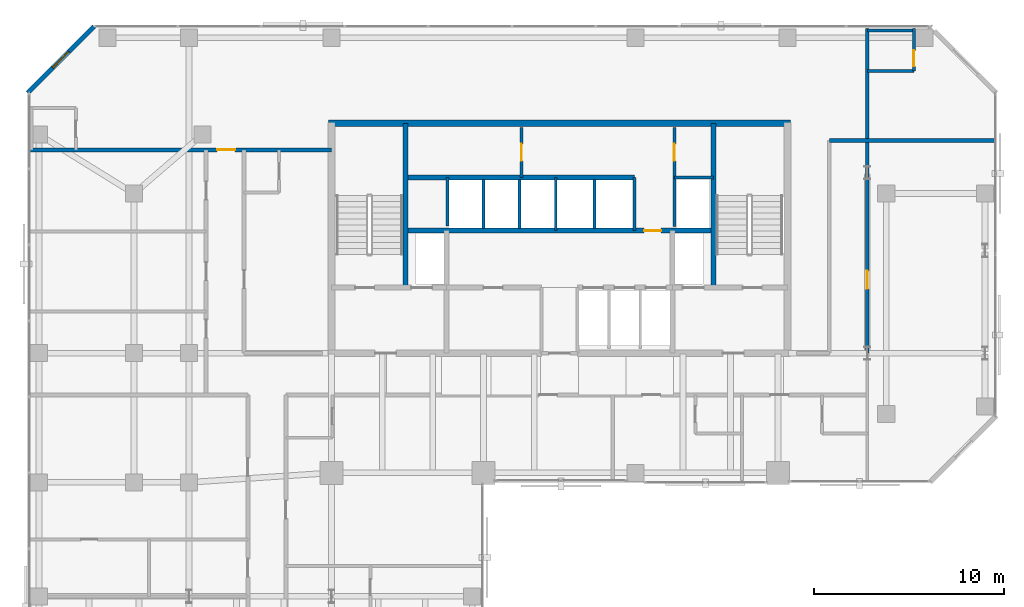
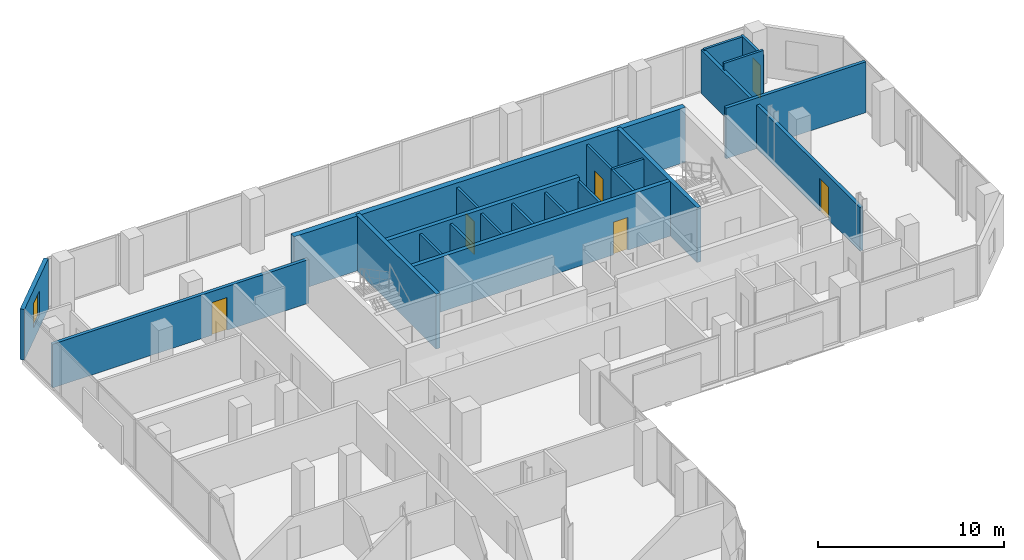
# One storey, part 30 of 34: 22 walls, 6 doors, 1 window, 7 openings.
"""IFC4 building model written with IfcOpenShell, lengths in metres."""

from ifc_helpers import new_model, si_unit, direction, frame, frame_2d, origin, place, context, subcontext, project, spatial, rectangle, extrude, material, layer, layer_set, type_object, element, fill, save


model = new_model("IFC4")

# Units and contexts
model_context = context("Model", 3, precision=1e-05, world=origin(), true_north=direction((0.0, 1.0)))
body_context = subcontext(model_context, "Body", "Model", "MODEL_VIEW")
ifc_project = project(units=[si_unit("LENGTHUNIT", "METRE"), si_unit("AREAUNIT", "SQUARE_METRE"), si_unit("VOLUMEUNIT", "CUBIC_METRE"), si_unit("PLANEANGLEUNIT", "RADIAN"), si_unit("MASSUNIT", "GRAM", prefix="KILO")], contexts=[model_context])

# Site, building, storey
site_placement = place(None, origin())
site = spatial("IfcSite", under=ifc_project, at=site_placement, CompositionType="ELEMENT")
building_placement = place(site_placement, origin())
building = spatial("IfcBuilding", under=site, at=building_placement, Name="Catumbela Crestline Tower", CompositionType="ELEMENT")
storey_placement = place(building_placement, frame((0.0, 0.0, 115.2)))
storey = spatial("IfcBuildingStorey", under=building, at=storey_placement, Name="L29", CompositionType="ELEMENT", Elevation=115.2)

# Walls
ifc_material_1 = material(Name="Concrete C50/60", Category="concrete")
ifc_layer_1 = layer(ifc_material_1, 0.25, Name="Concrete C50/60")
ifc_layer_set_1 = layer_set([ifc_layer_1], Name="Concrete C50/60")
wall_type_1 = type_object("IfcWallType", Name="CW-250D", PredefinedType="SHEAR", material=ifc_layer_set_1)
for number, where, z_axis, x_axis, name in (
    (1, (19.9, 34.25, 0.0), (0.0, 0.0, 1.0), (0.0, 1.0, 0.0), "L29 Structural Core Shear Wall WWEB"),
    (2, (36.1, 34.25, 0.0), (0.0, 0.0, 1.0), (0.0, 1.0, 0.0), "L29 Structural Core Shear Wall EWEB"),
):
    element("IfcWall", number, at=place(storey_placement, frame(where, z_axis=z_axis, x_axis=x_axis)), inside=storey, type_object=wall_type_1, Name=name, PredefinedType="SHEAR", context=body_context, shape_type="SweptSolid", body=[
        extrude(rectangle(XDim=8.65, YDim=0.25, at=frame_2d((4.325, 0.0))), origin(), (0.0, 0.0, 1.0), 3.6),
    ])

# Wall, opening, door
wall_1_placement = place(storey_placement, frame((19.9, 37.25, 0.0), z_axis=(0.0, 0.0, 1.0), x_axis=(1.0, 0.0, 0.0)))
wall_1 = element("IfcWall", 3, at=wall_1_placement, inside=storey, type_object=wall_type_1, Name="L29 Structural Core Shear Wall LIFTN", PredefinedType="SHEAR", context=body_context, shape_type="SweptSolid", body=[
    extrude(rectangle(XDim=16.2, YDim=0.25, at=frame_2d((8.1, 0.0))), origin(), (0.0, 0.0, 1.0), 3.6),
])
opening_1_placement = place(wall_1_placement, frame((12.55, 0.0, 0.0)))
opening_1 = element("IfcOpeningElement", 4, at=opening_1_placement, cuts=wall_1, Name="Opening DF9-090", PredefinedType="OPENING", context=body_context, shape_type="SweptSolid", body=[
    extrude(rectangle(XDim=0.9, YDim=2.15, at=frame_2d((0.45, 1.075))), frame((0.0, 0.135, 0.0), z_axis=(0.0, -1.0, 0.0), x_axis=(1.0, 0.0, 0.0)), (0.0, 0.0, 1.0), 0.27),
])
ifc_material_2 = material(Name="Stainless steel EN 1.4401", Category="steel")
door_type_1 = type_object("IfcDoorType", Name="DF9-090", OperationType="NOTDEFINED", PredefinedType="DOOR", material=ifc_material_2)
door_1_placement = place(opening_1_placement, origin())
door_1 = element("IfcDoor", 5, at=door_1_placement, inside=storey, type_object=door_type_1, Name="L29 Interior Door DR-L29-CPAS1", OperationType="SINGLE_SWING_LEFT", OverallHeight=2.15, OverallWidth=0.9, PredefinedType="DOOR", context=body_context, shape_type="SweptSolid", body=[
    extrude(rectangle(XDim=0.9, YDim=2.15, at=frame_2d((0.45, 1.075))), frame((0.0, 0.025, 0.0), z_axis=(0.0, -1.0, 0.0), x_axis=(1.0, 0.0, 0.0)), (0.0, 0.0, 1.0), 0.05),
])
fill(opening_1, door_1)

# Walls
wall_2_placement = place(storey_placement, frame((19.9, 40.05, 0.0), z_axis=(0.0, 0.0, 1.0), x_axis=(1.0, 0.0, 0.0)))
element("IfcWall", 6, at=wall_2_placement, inside=storey, type_object=wall_type_1, Name="L29 Structural Core Shear Wall COREN", PredefinedType="SHEAR", context=body_context, shape_type="SweptSolid", body=[
    extrude(rectangle(XDim=12.05, YDim=0.25, at=frame_2d((6.025, 0.0))), origin(), (0.0, 0.0, 1.0), 3.6),
])
ifc_layer_2 = layer(ifc_material_1, 0.35, Name="Concrete C50/60")
ifc_layer_set_2 = layer_set([ifc_layer_2], Name="Concrete C50/60")
wall_type_2 = type_object("IfcWallType", Name="CW-350B", PredefinedType="SHEAR", material=ifc_layer_set_2)
wall_3_placement = place(storey_placement, frame((15.85, 42.9, 0.0), z_axis=(0.0, 0.0, 1.0), x_axis=(1.0, 0.0, 0.0)))
element("IfcWall", 7, at=wall_3_placement, inside=storey, type_object=wall_type_2, Name="L29 Structural Core Shear Wall N", PredefinedType="SHEAR", context=body_context, shape_type="SweptSolid", body=[
    extrude(rectangle(XDim=24.3, YDim=0.35, at=frame_2d((12.15, 0.0))), origin(), (0.0, 0.0, 1.0), 3.6),
])
ifc_material_3 = material(Name="Acoustic gypsum and mineral-wool partition")
ifc_layer_3 = layer(ifc_material_3, 0.2, Name="Acoustic gypsum and mineral-wool partition")
ifc_layer_set_3 = layer_set([ifc_layer_3], Name="Acoustic gypsum and mineral-wool partition")
wall_type_3 = type_object("IfcWallType", Name="WC-200", PredefinedType="PARTITIONING", material=ifc_layer_set_3)
wall_4_placement = place(storey_placement, frame((42.2, 42.0, 0.0), z_axis=(0.0, 0.0, 1.0), x_axis=(1.0, 0.0, 0.0)))
element("IfcWall", 8, at=wall_4_placement, inside=storey, type_object=wall_type_3, Name="L29 Interior Partition PW-L29-Z2CW-E3", PredefinedType="PARTITIONING", context=body_context, shape_type="SweptSolid", body=[
    extrude(rectangle(XDim=8.7, YDim=0.2, at=frame_2d((4.35, 0.0))), origin(), (0.0, 0.0, 1.0), 3.33),
])

# Wall, opening, door
wall_5_placement = place(storey_placement, frame((0.1, 41.5, 0.0), z_axis=(0.0, 0.0, 1.0), x_axis=(1.0, 0.0, 0.0)))
wall_5 = element("IfcWall", 9, at=wall_5_placement, inside=storey, type_object=wall_type_3, Name="L29 Interior Partition PW-L29-Z2NWT-ENT", PredefinedType="PARTITIONING", context=body_context, shape_type="SweptSolid", body=[
    extrude(rectangle(XDim=15.9, YDim=0.2, at=frame_2d((7.95, 0.0))), origin(), (0.0, 0.0, 1.0), 2.87),
])
opening_2_placement = place(wall_5_placement, frame((9.8771, 0.0, 0.0)))
opening_2 = element("IfcOpeningElement", 10, at=opening_2_placement, cuts=wall_5, Name="Opening DF6-095", PredefinedType="OPENING", context=body_context, shape_type="SweptSolid", body=[
    extrude(rectangle(XDim=0.95, YDim=2.15, at=frame_2d((0.475, 1.075))), frame((0.0, 0.11, 0.0), z_axis=(0.0, -1.0, 0.0), x_axis=(1.0, 0.0, 0.0)), (0.0, 0.0, 1.0), 0.22),
])
ifc_material_4 = material(Name="Aluminium alloy AW-6060-T66", Category="aluminium")
door_type_2 = type_object("IfcDoorType", Name="DF6-095", OperationType="NOTDEFINED", PredefinedType="DOOR", material=ifc_material_4)
door_2_placement = place(opening_2_placement, origin())
door_2 = element("IfcDoor", 11, at=door_2_placement, inside=storey, type_object=door_type_2, Name="L29 Interior Door DR-L29-Z2NWT-ENT", OperationType="SINGLE_SWING_RIGHT", OverallHeight=2.15, OverallWidth=0.95, PredefinedType="DOOR", context=body_context, shape_type="SweptSolid", body=[
    extrude(rectangle(XDim=0.95, YDim=2.15, at=frame_2d((0.475, 1.075))), frame((0.0, 0.025, 0.0), z_axis=(0.0, -1.0, 0.0), x_axis=(1.0, 0.0, 0.0)), (0.0, 0.0, 1.0), 0.05),
])
fill(opening_2, door_2)

wall_6_placement = place(storey_placement, frame((44.2, 30.8, 0.0), z_axis=(0.0, 0.0, 1.0), x_axis=(0.0, 1.0, 0.0)))
wall_6 = element("IfcWall", 12, at=wall_6_placement, inside=storey, type_object=wall_type_3, Name="L29 Interior Partition PW-L29-SE1-ENT", PredefinedType="PARTITIONING", context=body_context, shape_type="SweptSolid", body=[
    extrude(rectangle(XDim=17.1, YDim=0.2, at=frame_2d((8.55, 0.0))), origin(), (0.0, 0.0, 1.0), 2.87),
])
opening_3_placement = place(wall_6_placement, frame((3.3825, 0.0, 0.0)))
opening_3 = element("IfcOpeningElement", 13, at=opening_3_placement, cuts=wall_6, Name="Opening DF6-095", PredefinedType="OPENING", context=body_context, shape_type="SweptSolid", body=[
    extrude(rectangle(XDim=0.95, YDim=2.15, at=frame_2d((0.475, 1.075))), frame((0.0, 0.11, 0.0), z_axis=(0.0, -1.0, 0.0), x_axis=(1.0, 0.0, 0.0)), (0.0, 0.0, 1.0), 0.22),
])
door_3_placement = place(opening_3_placement, origin())
door_3 = element("IfcDoor", 14, at=door_3_placement, inside=storey, type_object=door_type_2, Name="L29 Interior Door DR-L29-SE1-ENT", OperationType="SINGLE_SWING_RIGHT", OverallHeight=2.15, OverallWidth=0.95, PredefinedType="DOOR", context=body_context, shape_type="SweptSolid", body=[
    extrude(rectangle(XDim=0.95, YDim=2.15, at=frame_2d((0.475, 1.075))), frame((0.0, 0.025, 0.0), z_axis=(0.0, -1.0, 0.0), x_axis=(1.0, 0.0, 0.0)), (0.0, 0.0, 1.0), 0.05),
])
fill(opening_3, door_3)

# Wall, opening, window
ifc_material_5 = material(Name="Angolan grey-ochre granite", Category="masonry")
ifc_layer_4 = layer(ifc_material_5, 0.25, Name="Angolan grey-ochre granite")
ifc_layer_set_4 = layer_set([ifc_layer_4], Name="Angolan grey-ochre granite")
wall_type_4 = type_object("IfcWallType", Name="WE-250", PredefinedType="STANDARD", material=ifc_layer_set_4)
wall_7_placement = place(storey_placement, frame((3.5, 48.0, 0.0), z_axis=(0.0, 0.0, 1.0), x_axis=(-0.707106781187, -0.707106781187, 0.0)))
wall_7 = element("IfcWall", 15, at=wall_7_placement, inside=storey, type_object=wall_type_4, Name="L29 Granite Punched Window Wall 8-1", PredefinedType="STANDARD", context=body_context, shape_type="SweptSolid", body=[
    extrude(rectangle(XDim=4.9497, YDim=0.25, at=frame_2d((2.4748, 0.0))), origin(), (0.0, 0.0, 1.0), 3.33),
])
opening_4_placement = place(wall_7_placement, frame((1.8748, 0.0, 0.85)))
opening_4 = element("IfcOpeningElement", 16, at=opening_4_placement, cuts=wall_7, Name="Opening WN-02", PredefinedType="OPENING", context=body_context, shape_type="SweptSolid", body=[
    extrude(rectangle(XDim=1.2, YDim=1.6, at=frame_2d((0.6, 0.8))), frame((0.0, 0.135, 0.0), z_axis=(0.0, -1.0, 0.0), x_axis=(1.0, 0.0, 0.0)), (0.0, 0.0, 1.0), 0.27),
])
ifc_material_6 = material(Name="Low-E laminated solar-control double glazing", Category="glass")
window_type = type_object("IfcWindowType", Name="WO-1200", PartitioningType="SINGLE_PANEL", PredefinedType="WINDOW", material=ifc_material_6)
window_placement = place(opening_4_placement, origin())
window = element("IfcWindow", 17, at=window_placement, inside=storey, type_object=window_type, Name="L29 Facade Vision Window 168", OverallHeight=1.6, OverallWidth=1.2, PartitioningType="SINGLE_PANEL", PredefinedType="WINDOW", context=body_context, shape_type="SweptSolid", body=[
    extrude(rectangle(XDim=1.2, YDim=1.6, at=frame_2d((0.6, 0.8))), frame((0.0, 0.03, 0.0), z_axis=(0.0, -1.0, 0.0), x_axis=(1.0, 0.0, 0.0)), (0.0, 0.0, 1.0), 0.06),
])
fill(opening_4, window)

# Wall
ifc_layer_5 = layer(ifc_material_3, 0.15, Name="Acoustic gypsum and mineral-wool partition")
ifc_layer_set_5 = layer_set([ifc_layer_5], Name="Acoustic gypsum and mineral-wool partition")
wall_type_5 = type_object("IfcWallType", Name="WP-150", PredefinedType="PARTITIONING", material=ifc_layer_set_5)
wall_8_placement = place(storey_placement, frame((34.05, 40.05, 0.0), z_axis=(0.0, 0.0, 1.0), x_axis=(1.0, 0.0, 0.0)))
element("IfcWall", 18, at=wall_8_placement, inside=storey, type_object=wall_type_5, Name="L29 Interior Partition PW-L29-CR-ES", PredefinedType="PARTITIONING", context=body_context, shape_type="SweptSolid", body=[
    extrude(rectangle(XDim=2.05, YDim=0.15, at=frame_2d((1.025, 0.0))), origin(), (0.0, 0.0, 1.0), 3.33),
])

# Wall, opening, door
wall_9_placement = place(storey_placement, frame((34.05, 40.05, 0.0), z_axis=(0.0, 0.0, 1.0), x_axis=(0.0, 1.0, 0.0)))
wall_9 = element("IfcWall", 19, at=wall_9_placement, inside=storey, type_object=wall_type_5, Name="L29 Interior Partition PW-L29-CR-EW", PredefinedType="PARTITIONING", context=body_context, shape_type="SweptSolid", body=[
    extrude(rectangle(XDim=2.63, YDim=0.15, at=frame_2d((1.315, 0.0))), origin(), (0.0, 0.0, 1.0), 3.33),
])
opening_5_placement = place(wall_9_placement, frame((0.865, 0.0, 0.0)))
opening_5 = element("IfcOpeningElement", 20, at=opening_5_placement, cuts=wall_9, Name="Opening DF9-090", PredefinedType="OPENING", context=body_context, shape_type="SweptSolid", body=[
    extrude(rectangle(XDim=0.9, YDim=2.15, at=frame_2d((0.45, 1.075))), frame((0.0, 0.085, 0.0), z_axis=(0.0, -1.0, 0.0), x_axis=(1.0, 0.0, 0.0)), (0.0, 0.0, 1.0), 0.17),
])
door_4_placement = place(opening_5_placement, origin())
door_4 = element("IfcDoor", 21, at=door_4_placement, inside=storey, type_object=door_type_1, Name="L29 Interior Door DR-L29-CREAST", OperationType="SINGLE_SWING_RIGHT", OverallHeight=2.15, OverallWidth=0.9, PredefinedType="DOOR", context=body_context, shape_type="SweptSolid", body=[
    extrude(rectangle(XDim=0.9, YDim=2.15, at=frame_2d((0.45, 1.075))), frame((0.0, 0.025, 0.0), z_axis=(0.0, -1.0, 0.0), x_axis=(1.0, 0.0, 0.0)), (0.0, 0.0, 1.0), 0.05),
])
fill(opening_5, door_4)

wall_10_placement = place(storey_placement, frame((26.0, 40.05, 0.0), z_axis=(0.0, 0.0, 1.0), x_axis=(0.0, 1.0, 0.0)))
wall_10 = element("IfcWall", 22, at=wall_10_placement, inside=storey, type_object=wall_type_5, Name="L29 Interior Partition PW-L29-CR-WW", PredefinedType="PARTITIONING", context=body_context, shape_type="SweptSolid", body=[
    extrude(rectangle(XDim=2.63, YDim=0.15, at=frame_2d((1.315, 0.0))), origin(), (0.0, 0.0, 1.0), 3.33),
])
opening_6_placement = place(wall_10_placement, frame((0.865, 0.0, 0.0)))
opening_6 = element("IfcOpeningElement", 23, at=opening_6_placement, cuts=wall_10, Name="Opening DF9-090", PredefinedType="OPENING", context=body_context, shape_type="SweptSolid", body=[
    extrude(rectangle(XDim=0.9, YDim=2.15, at=frame_2d((0.45, 1.075))), frame((0.0, 0.085, 0.0), z_axis=(0.0, -1.0, 0.0), x_axis=(1.0, 0.0, 0.0)), (0.0, 0.0, 1.0), 0.17),
])
door_5_placement = place(opening_6_placement, origin())
door_5 = element("IfcDoor", 24, at=door_5_placement, inside=storey, type_object=door_type_1, Name="L29 Interior Door DR-L29-CRWEST", OperationType="SINGLE_SWING_LEFT", OverallHeight=2.15, OverallWidth=0.9, PredefinedType="DOOR", context=body_context, shape_type="SweptSolid", body=[
    extrude(rectangle(XDim=0.9, YDim=2.15, at=frame_2d((0.45, 1.075))), frame((0.0, 0.025, 0.0), z_axis=(0.0, -1.0, 0.0), x_axis=(1.0, 0.0, 0.0)), (0.0, 0.0, 1.0), 0.05),
])
fill(opening_6, door_5)

# Wall
wall_11_placement = place(storey_placement, frame((44.2, 45.65, 0.0), z_axis=(0.0, 0.0, 1.0), x_axis=(1.0, 0.0, 0.0)))
element("IfcWall", 25, at=wall_11_placement, inside=storey, type_object=wall_type_5, Name="L29 Interior Partition PW-L29-SE1-BSW", PredefinedType="PARTITIONING", context=body_context, shape_type="SweptSolid", body=[
    extrude(rectangle(XDim=2.45, YDim=0.15, at=frame_2d((1.225, 0.0))), origin(), (0.0, 0.0, 1.0), 3.33),
])

# Wall, opening, door
wall_12_placement = place(storey_placement, frame((46.65, 45.65, 0.0), z_axis=(0.0, 0.0, 1.0), x_axis=(0.0, 1.0, 0.0)))
wall_12 = element("IfcWall", 26, at=wall_12_placement, inside=storey, type_object=wall_type_5, Name="L29 Interior Partition PW-L29-SE1-BEW", PredefinedType="PARTITIONING", context=body_context, shape_type="SweptSolid", body=[
    extrude(rectangle(XDim=2.25, YDim=0.15, at=frame_2d((1.125, 0.0))), origin(), (0.0, 0.0, 1.0), 2.96),
])
opening_7_placement = place(wall_12_placement, frame((0.24, 0.0, 0.0)))
opening_7 = element("IfcOpeningElement", 27, at=opening_7_placement, cuts=wall_12, Name="Opening DI-085", PredefinedType="OPENING", context=body_context, shape_type="SweptSolid", body=[
    extrude(rectangle(XDim=0.85, YDim=2.15, at=frame_2d((0.425, 1.075))), frame((0.0, 0.085, 0.0), z_axis=(0.0, -1.0, 0.0), x_axis=(1.0, 0.0, 0.0)), (0.0, 0.0, 1.0), 0.17),
])
door_type_3 = type_object("IfcDoorType", Name="DI-085", OperationType="NOTDEFINED", PredefinedType="DOOR", material=ifc_material_4)
door_6_placement = place(opening_7_placement, origin())
door_6 = element("IfcDoor", 28, at=door_6_placement, inside=storey, type_object=door_type_3, Name="L29 Interior Door DR-L29-SE1-BTH", OperationType="SINGLE_SWING_LEFT", OverallHeight=2.15, OverallWidth=0.85, PredefinedType="DOOR", context=body_context, shape_type="SweptSolid", body=[
    extrude(rectangle(XDim=0.85, YDim=2.15, at=frame_2d((0.425, 1.075))), frame((0.0, 0.025, 0.0), z_axis=(0.0, -1.0, 0.0), x_axis=(1.0, 0.0, 0.0)), (0.0, 0.0, 1.0), 0.05),
])
fill(opening_7, door_6)

# Walls
wall_13_placement = place(storey_placement, frame((44.2, 47.78, 0.0), z_axis=(0.0, 0.0, 1.0), x_axis=(1.0, 0.0, 0.0)))
element("IfcWall", 29, at=wall_13_placement, inside=storey, type_object=wall_type_5, Name="L29 Interior Partition PW-L29-SE1-BCL-2", PredefinedType="PARTITIONING", context=body_context, shape_type="SweptSolid", body=[
    extrude(rectangle(XDim=2.45, YDim=0.15, at=frame_2d((1.225, 0.0))), origin(), (0.0, 0.0, 1.0), 2.96),
])
ifc_layer_6 = layer(ifc_material_3, 0.15, Name="Acoustic gypsum and mineral-wool partition")
ifc_layer_set_6 = layer_set([ifc_layer_6], Name="Acoustic gypsum and mineral-wool partition")
wall_type_6 = type_object("IfcWallType", Name="WS-150", PredefinedType="PLUMBINGWALL", material=ifc_layer_set_6)
wall_14_placement = place(storey_placement, frame((22.1, 37.4897, 0.0), z_axis=(0.0, 0.0, 1.0), x_axis=(0.0, 1.0, 0.0)))
element("IfcWall", 30, at=wall_14_placement, inside=storey, type_object=wall_type_6, Name="L29 Interior Partition PW-L29-SHH0", PredefinedType="PLUMBINGWALL", context=body_context, shape_type="SweptSolid", body=[
    extrude(rectangle(XDim=2.5603, YDim=0.15, at=frame_2d((1.2801, 0.0))), origin(), (0.0, 0.0, 1.0), 3.33),
])
wall_15_placement = place(storey_placement, frame((27.8, 37.25, 0.0), z_axis=(0.0, 0.0, 1.0), x_axis=(0.0, 1.0, 0.0)))
element("IfcWall", 31, at=wall_15_placement, inside=storey, type_object=wall_type_6, Name="L29 Interior Partition PW-L29-SHH3", PredefinedType="PLUMBINGWALL", context=body_context, shape_type="SweptSolid", body=[
    extrude(rectangle(XDim=2.8, YDim=0.15, at=frame_2d((1.4, 0.0))), origin(), (0.0, 0.0, 1.0), 3.33),
])
for number, where, z_axis, x_axis, name in (
    (32, (24.0, 37.35, 0.0), (0.0, 0.0, 1.0), (0.0, 1.0, 0.0), "L29 Interior Partition PW-L29-SHH1"),
    (33, (25.9, 37.35, 0.0), (0.0, 0.0, 1.0), (0.0, 1.0, 0.0), "L29 Interior Partition PW-L29-SHH2"),
):
    element("IfcWall", number, at=place(storey_placement, frame(where, z_axis=z_axis, x_axis=x_axis)), inside=storey, type_object=wall_type_6, Name=name, PredefinedType="PLUMBINGWALL", context=body_context, shape_type="SweptSolid", body=[
        extrude(rectangle(XDim=2.6, YDim=0.15, at=frame_2d((1.3, 0.0))), origin(), (0.0, 0.0, 1.0), 3.33),
    ])
wall_16_placement = place(storey_placement, frame((31.95, 37.25, 0.0), z_axis=(0.0, 0.0, 1.0), x_axis=(0.0, 1.0, 0.0)))
element("IfcWall", 34, at=wall_16_placement, inside=storey, type_object=wall_type_6, Name="L29 Interior Partition PW-L29-SHEX2E", PredefinedType="PLUMBINGWALL", context=body_context, shape_type="SweptSolid", body=[
    extrude(rectangle(XDim=2.8, YDim=0.15, at=frame_2d((1.4, 0.0))), origin(), (0.0, 0.0, 1.0), 3.33),
])
wall_17_placement = place(storey_placement, frame((29.85, 37.35, 0.0), z_axis=(0.0, 0.0, 1.0), x_axis=(0.0, 1.0, 0.0)))
element("IfcWall", 35, at=wall_17_placement, inside=storey, type_object=wall_type_6, Name="L29 Interior Partition PW-L29-SHEX1", PredefinedType="PLUMBINGWALL", context=body_context, shape_type="SweptSolid", body=[
    extrude(rectangle(XDim=2.6, YDim=0.15, at=frame_2d((1.3, 0.0))), origin(), (0.0, 0.0, 1.0), 3.33),
])
wall_18_placement = place(storey_placement, frame((34.05, 37.4734, 0.0), z_axis=(0.0, 0.0, 1.0), x_axis=(0.0, 1.0, 0.0)))
element("IfcWall", 36, at=wall_18_placement, inside=storey, type_object=wall_type_6, Name="L29 Interior Partition PW-L29-RISW", PredefinedType="PLUMBINGWALL", context=body_context, shape_type="SweptSolid", body=[
    extrude(rectangle(XDim=2.5766, YDim=0.15, at=frame_2d((1.2883, 0.0))), origin(), (0.0, 0.0, 1.0), 3.33),
])

save(model, "model.ifc")
